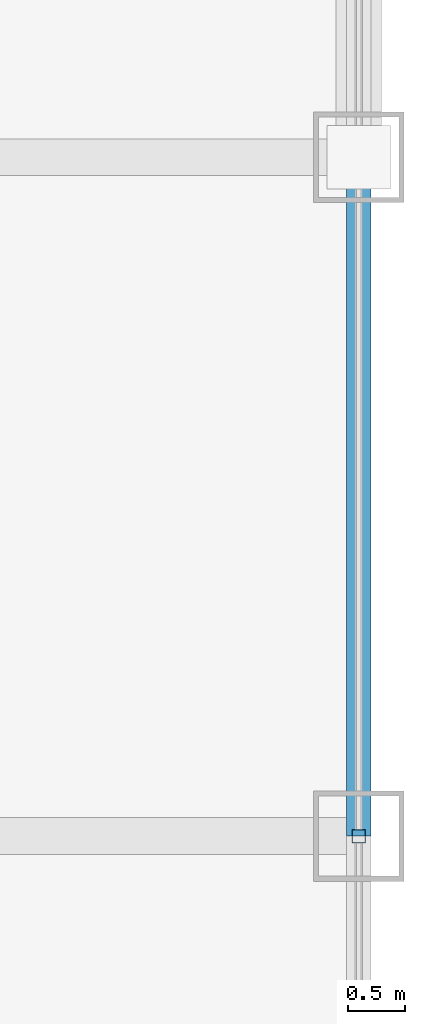
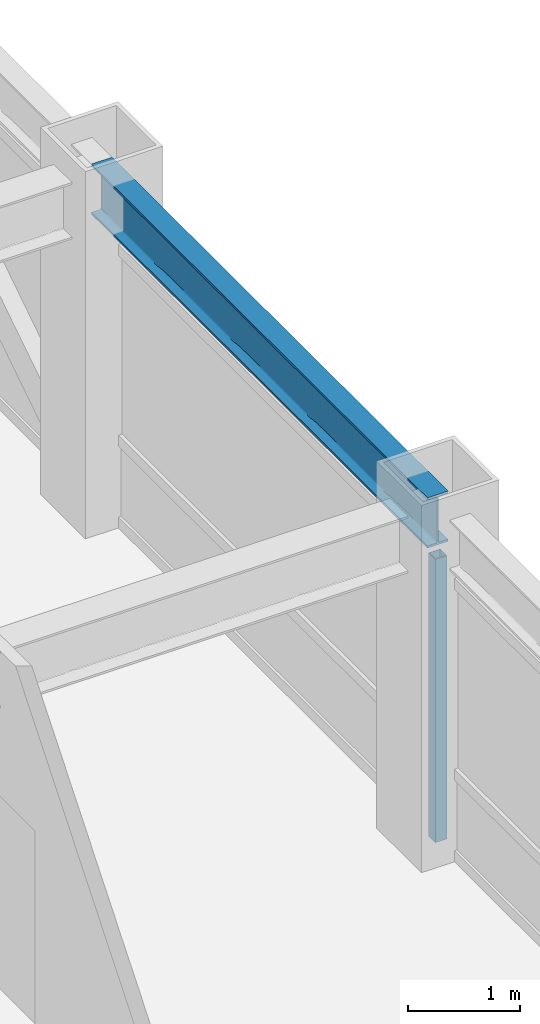
# One storey, part 12 of 28: 1 beam, 1 member, 1 element without a shape of its own.
"""IFC4 building model written with IfcOpenShell, lengths in metres."""

from ifc_helpers import new_model, si_unit, direction, frame, origin, origin_2d, place, context, subcontext, project, spatial, hollow_rectangle, i_section, extrude, source, transform, mapped, material, material_profile, profile_set, type_object, element, aggregate, save


model = new_model("IFC4")

# Units and contexts
model_context = context("Model", 3, precision=1e-05, world=origin(), true_north=direction((0.0, 1.0)))
body_context = subcontext(model_context, "Body", "Model", "MODEL_VIEW")
ifc_project = project(units=[si_unit("LENGTHUNIT", "METRE"), si_unit("AREAUNIT", "SQUARE_METRE"), si_unit("VOLUMEUNIT", "CUBIC_METRE"), si_unit("PLANEANGLEUNIT", "RADIAN"), si_unit("MASSUNIT", "GRAM", prefix="KILO")], contexts=[model_context])

# Site, building, storey
site_placement = place(None, origin())
site = spatial("IfcSite", under=ifc_project, at=site_placement, CompositionType="ELEMENT")
building_placement = place(site_placement, origin())
building = spatial("IfcBuilding", under=site, at=building_placement, Name="Khorayat Bourse Tower", CompositionType="ELEMENT")
storey_placement = place(building_placement, frame((0.0, 0.0, 334.300048828125)))
storey = spatial("IfcBuildingStorey", under=building, at=storey_placement, Name="L79", CompositionType="ELEMENT", Elevation=334.300048828125)

# Beam
ifc_material_1 = material(Name="Steel ASTM A992 Grade 50", Category="steel")
ifc_material_profile_1 = material_profile(ifc_material_1, i_section(OverallWidth=0.214111328125, OverallDepth=0.549072265625, WebThickness=0.0146484375, FlangeThickness=0.023681640625, FilletRadius=0.013916015625, at=origin_2d()), Name="W530X138")
ifc_profile_set_1 = profile_set([ifc_material_profile_1], Name="Steel ASTM A992 Grade 50")
beam_type = type_object("IfcBeamType", Name="BM-SPAN-530", PredefinedType="SPANDREL", material=ifc_profile_set_1)
shared_shape_1 = source(origin(), body_context, "Body", "SweptSolid", [
    extrude(i_section(OverallWidth=0.214111328125, OverallDepth=0.549072265625, WebThickness=0.0146484375, FlangeThickness=0.023681640625, FilletRadius=0.013916015625, at=origin_2d()), origin(), (0.0, 0.0, 1.0), 6.0),
])
beam_placement = place(storey_placement, frame((26.0, 0.0, 3.46533203125), z_axis=(0.0, 1.0, 0.0), x_axis=(-1.0, 0.0, 0.0)))
element("IfcBeam", 1, at=beam_placement, inside=storey, type_object=beam_type, Name="L79 BM-SPAN-530 BM-L79-SPN-035", PredefinedType="SPANDREL", context=body_context, shape_type="MappedRepresentation", body=[
    mapped(shared_shape_1, transform((0.0, 0.0, 0.0), scale=1.0)),
])

# Curtain wall, member
ifc_material_2 = material(Name="Aluminium EN AW-6063 T6", Category="aluminium")
curtain_wall_type = type_object("IfcCurtainWallType", Name="CW-SYS-04", PredefinedType="NOTDEFINED", material=ifc_material_2)
curtain_wall_placement = place(storey_placement, origin())
curtain_wall = element("IfcCurtainWall", 2, at=curtain_wall_placement, inside=storey, type_object=curtain_wall_type, Name="L79 Curtain Wall CW-L79-E1", PredefinedType="NOTDEFINED")
ifc_material_profile_2 = material_profile(ifc_material_2, hollow_rectangle(XDim=0.1201171875, YDim=0.1201171875, WallThickness=0.0048828125, at=origin_2d()), Name="ALU 120x120x5")
ifc_profile_set_2 = profile_set([ifc_material_profile_2], Name="Aluminium EN AW-6063 T6")
member_type = type_object("IfcMemberType", Name="CWM-VERT-120", PredefinedType="MULLION", material=ifc_profile_set_2)
shared_shape_2 = source(origin(), body_context, "Body", "SweptSolid", [
    extrude(hollow_rectangle(XDim=0.1201171875, YDim=0.1201171875, WallThickness=0.0048828125, at=origin_2d()), origin(), (0.0, 0.0, 1.0), 3.08984375),
])
member_placement = place(storey_placement, frame((26.0, 0.0, 0.0), z_axis=(0.0, 0.0, 1.0), x_axis=(-1.0, 0.0, 0.0)))
member = element("IfcMember", 3, at=member_placement, type_object=member_type, Name="CW-L79-E1 Vertical Mullion 2", PredefinedType="MULLION", context=body_context, shape_type="MappedRepresentation", body=[
    mapped(shared_shape_2, transform((0.0, 0.0, 0.0), scale=1.0)),
])
aggregate(curtain_wall, [member])

save(model, "model.ifc")
